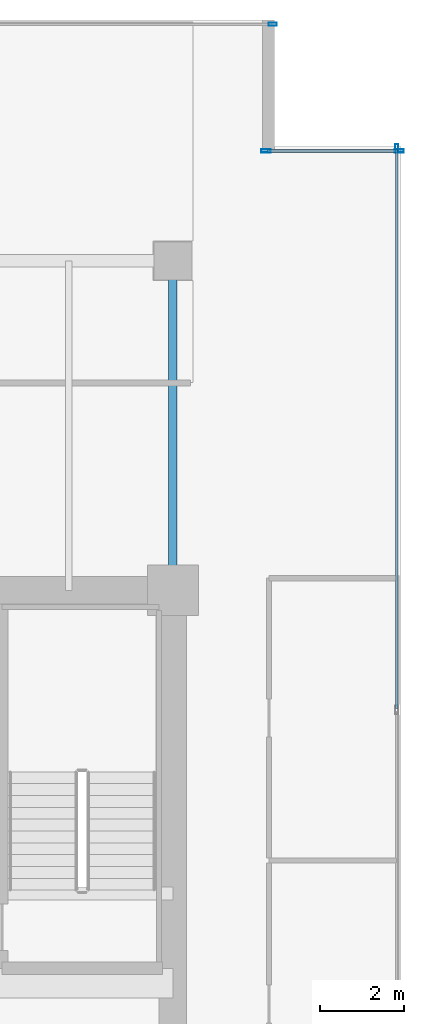
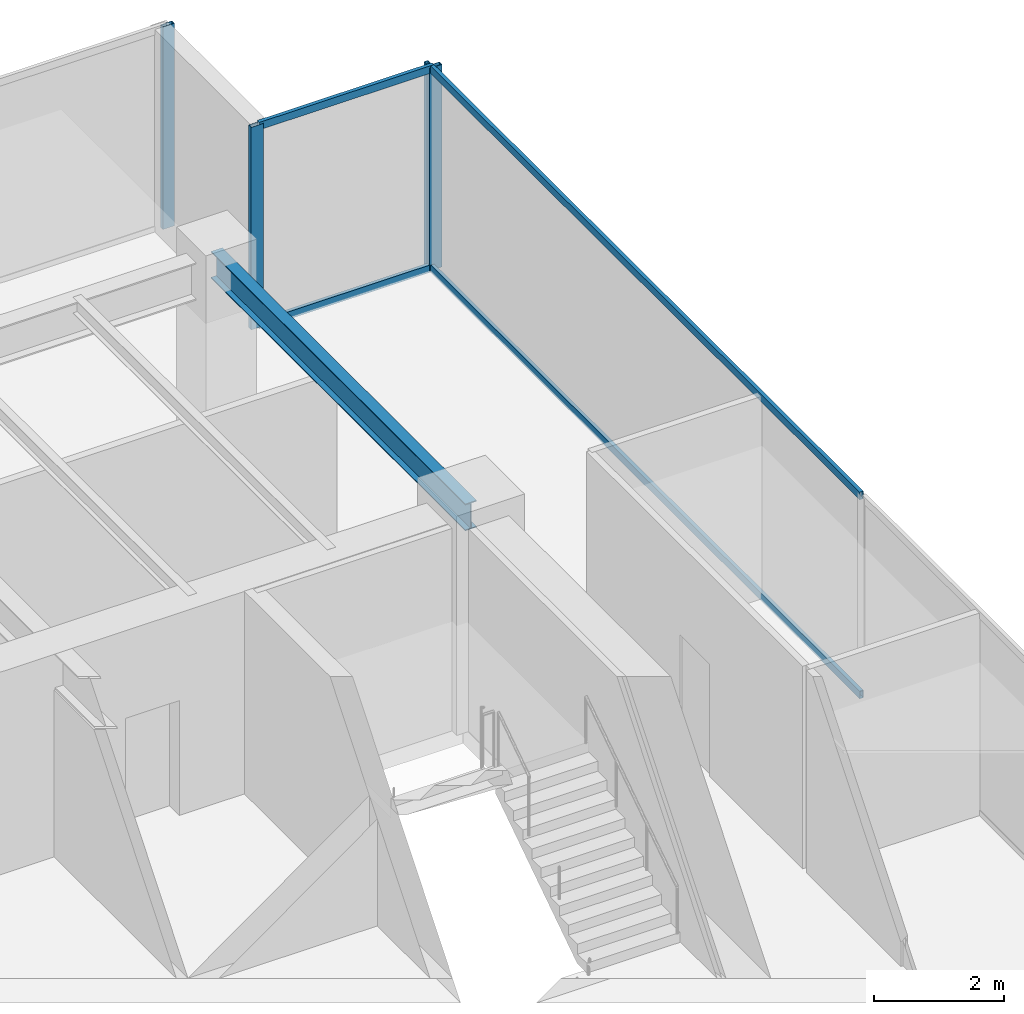
# One storey, part 23 of 33: 8 members, 1 beam, 3 elements without a shape of their own.
"""IFC4 building model written with IfcOpenShell, lengths in metres."""

from ifc_helpers import new_model, si_unit, direction, frame, origin, origin_2d, place, context, subcontext, project, spatial, hollow_rectangle, i_section, extrude, source, transform, mapped, material, layer, layer_set, material_profile, profile_set, type_object, type_shapes, element, aggregate, save


model = new_model("IFC4")

# Units and contexts
model_context = context("Model", 3, precision=1e-05, world=origin(), true_north=direction((0.0, 1.0)))
body_context = subcontext(model_context, "Body", "Model", "MODEL_VIEW")
ifc_project = project(units=[si_unit("LENGTHUNIT", "METRE"), si_unit("AREAUNIT", "SQUARE_METRE"), si_unit("VOLUMEUNIT", "CUBIC_METRE"), si_unit("PLANEANGLEUNIT", "RADIAN"), si_unit("MASSUNIT", "GRAM", prefix="KILO")], contexts=[model_context])

# Site, building, storey
site_placement = place(None, origin())
site = spatial("IfcSite", under=ifc_project, at=site_placement, CompositionType="ELEMENT")
building_placement = place(site_placement, origin())
building = spatial("IfcBuilding", under=site, at=building_placement, Name="Haelvirn Gate Laboratories", CompositionType="ELEMENT")
storey_placement = place(building_placement, frame((0.0, 0.0, 117.39990234375)))
storey = spatial("IfcBuildingStorey", under=building, at=storey_placement, Name="L28", CompositionType="ELEMENT", Elevation=117.39990234375)

# Beam
ifc_material_1 = material(Name="Steel SM355", Category="steel")
ifc_material_profile_1 = material_profile(ifc_material_1, i_section(OverallWidth=0.199951171875, OverallDepth=0.5, WebThickness=0.010009765625, FlangeThickness=0.01611328125, at=origin_2d()), Name="H-500x200x10x16")
ifc_profile_set_1 = profile_set([ifc_material_profile_1], Name="Steel SM355")
beam_type = type_object("IfcBeamType", Name="BM-SP-500", PredefinedType="SPANDREL", material=ifc_profile_set_1)
shared_shape_1 = source(origin(), body_context, "Body", "SweptSolid", [
    extrude(i_section(OverallWidth=0.199951171875, OverallDepth=0.5, WebThickness=0.010009765625, FlangeThickness=0.01611328125, at=origin_2d()), origin(), (0.0, 0.0, 1.0), 7.800048828125),
])
type_shapes(beam_type, [shared_shape_1])
beam_placement = place(storey_placement, frame((67.39990234375, 33.800048828125, 3.5400390625), z_axis=(0.0, 1.0, 0.0), x_axis=(-1.0, 0.0, 0.0)))
element("IfcBeam", 1, at=beam_placement, inside=storey, type_object=beam_type, Name="L28 Perimeter Spandrel X67.4 (33.8-41.6)", PredefinedType="SPANDREL", context=body_context, shape_type="MappedRepresentation", body=[
    mapped(shared_shape_1, transform((0.0, 0.0, 0.0), scale=1.0)),
])

# Curtain wall, members
ifc_material_2 = material(Name="Anodised bronze unitised aluminium & triple low-E glass", Category="aluminium")
ifc_layer_1 = layer(ifc_material_2, 0.181884765625, Name="CW-SYS-5")
ifc_layer_set_1 = layer_set([ifc_layer_1], Name="Anodised bronze unitised aluminium & triple low-E glass")
curtain_wall_type_1 = type_object("IfcCurtainWallType", Name="CW-SYS-5", PredefinedType="NOTDEFINED", material=ifc_layer_set_1)
curtain_wall_1_placement = place(storey_placement, origin())
curtain_wall_1 = element("IfcCurtainWall", 2, at=curtain_wall_1_placement, inside=storey, type_object=curtain_wall_type_1, Name="L28 Unitised Curtain Wall CW-L28-P0-E08-1", PredefinedType="NOTDEFINED")
ifc_material_3 = material(Name="Extruded aluminium 6063-T6 (anodised bronze)", Category="aluminium")
ifc_material_profile_2 = material_profile(ifc_material_3, hollow_rectangle(XDim=0.06494140625, YDim=0.139892578125, WallThickness=0.00390625, at=origin_2d()), Name="CWT-140x65x4")
ifc_profile_set_2 = profile_set([ifc_material_profile_2], Name="Extruded aluminium 6063-T6 (anodised bronze)")
member_type_1 = type_object("IfcMemberType", Name="CWT-T140", PredefinedType="USERDEFINED", material=ifc_profile_set_2)
shared_shape_2 = source(origin(), body_context, "Body", "SweptSolid", [
    extrude(hollow_rectangle(XDim=0.06494140625, YDim=0.139892578125, WallThickness=0.00390625, at=origin_2d()), origin(), (0.0, 0.0, 1.0), 3.080078125),
])
member_1_placement = place(storey_placement, frame((69.639892578125, 44.199951171875, 0.03271484375), z_axis=(1.0, 0.0, 0.0), x_axis=(0.0, 1.0, 0.0)))
member_1 = element("IfcMember", 3, at=member_1_placement, type_object=member_type_1, Name="CW5 transom 1.1", ObjectType="TRANSOM", PredefinedType="USERDEFINED", context=body_context, shape_type="MappedRepresentation", body=[
    mapped(shared_shape_2, transform((0.0, 0.0, 0.0), scale=1.0)),
])
member_2_placement = place(storey_placement, frame((69.639892578125, 44.199951171875, 3.757568359375), z_axis=(1.0, 0.0, 0.0), x_axis=(0.0, 1.0, 0.0)))
member_2 = element("IfcMember", 4, at=member_2_placement, type_object=member_type_1, Name="CW5 transom 1.2", ObjectType="TRANSOM", PredefinedType="USERDEFINED", context=body_context, shape_type="MappedRepresentation", body=[
    mapped(shared_shape_2, transform((0.0, 0.0, 0.0), scale=1.0)),
])

ifc_layer_2 = layer(ifc_material_2, 0.179931640625, Name="CW-SYS-3")
ifc_layer_set_2 = layer_set([ifc_layer_2], Name="Anodised bronze unitised aluminium & triple low-E glass")
curtain_wall_type_2 = type_object("IfcCurtainWallType", Name="CW-SYS-3", PredefinedType="NOTDEFINED", material=ifc_layer_set_2)
curtain_wall_2_placement = place(storey_placement, origin())
curtain_wall_2 = element("IfcCurtainWall", 5, at=curtain_wall_2_placement, inside=storey, type_object=curtain_wall_type_2, Name="L28 Unitised Curtain Wall CW-L28-P0-E07", PredefinedType="NOTDEFINED")
shared_shape_3 = source(origin(), body_context, "Body", "SweptSolid", [
    extrude(hollow_rectangle(XDim=0.06494140625, YDim=0.139892578125, WallThickness=0.00390625, at=origin_2d()), origin(), (0.0, 0.0, 1.0), 13.220947265625),
])
type_shapes(member_type_1, [shared_shape_2, shared_shape_3])
member_3_placement = place(storey_placement, frame((72.699951171875, 31.004150390625, 0.03271484375), z_axis=(0.0, 1.0, 0.0), x_axis=(-1.0, 0.0, 0.0)))
member_3 = element("IfcMember", 6, at=member_3_placement, type_object=member_type_1, Name="CW3 transom 3.1", ObjectType="TRANSOM", PredefinedType="USERDEFINED", context=body_context, shape_type="MappedRepresentation", body=[
    mapped(shared_shape_3, transform((0.0, 0.0, 0.0), scale=1.0)),
])
member_4_placement = place(storey_placement, frame((72.699951171875, 31.004150390625, 3.757568359375), z_axis=(0.0, 1.0, 0.0), x_axis=(-1.0, 0.0, 0.0)))
member_4 = element("IfcMember", 7, at=member_4_placement, type_object=member_type_1, Name="CW3 transom 3.2", ObjectType="TRANSOM", PredefinedType="USERDEFINED", context=body_context, shape_type="MappedRepresentation", body=[
    mapped(shared_shape_3, transform((0.0, 0.0, 0.0), scale=1.0)),
])
ifc_material_profile_3 = material_profile(ifc_material_3, hollow_rectangle(XDim=0.074951171875, YDim=0.199951171875, WallThickness=0.0048828125, at=origin_2d()), Name="CWM-200x75x5")
ifc_profile_set_3 = profile_set([ifc_material_profile_3], Name="Extruded aluminium 6063-T6 (anodised bronze)")
member_type_2 = type_object("IfcMemberType", Name="CWM-T200", PredefinedType="MULLION", material=ifc_profile_set_3)
shared_shape_4 = source(origin(), body_context, "Body", "SweptSolid", [
    extrude(hollow_rectangle(XDim=0.074951171875, YDim=0.199951171875, WallThickness=0.0048828125, at=origin_2d()), origin(), (0.0, 0.0, 1.0), 3.7900390625),
])
type_shapes(member_type_2, [shared_shape_4])
member_5_placement = place(storey_placement, frame((72.699951171875, 44.262451171875, 0.0), z_axis=(0.0, 0.0, 1.0), x_axis=(-1.0, 0.0, 0.0)))
member_5 = element("IfcMember", 8, at=member_5_placement, type_object=member_type_2, Name="CW3 mullion 4", PredefinedType="MULLION", context=body_context, shape_type="MappedRepresentation", body=[
    mapped(shared_shape_4, transform((0.0, 0.0, 0.0), scale=1.0)),
])
aggregate(curtain_wall_2, [member_5, member_3, member_4])

# Curtain wall, member
curtain_wall_3_placement = place(storey_placement, origin())
curtain_wall_3 = element("IfcCurtainWall", 9, at=curtain_wall_3_placement, inside=storey, type_object=curtain_wall_type_2, Name="L28 Unitised Curtain Wall CW-L28-P0-E10-1", PredefinedType="NOTDEFINED")
member_6_placement = place(storey_placement, frame((69.762451171875, 47.199951171875, 0.0), z_axis=(0.0, 0.0, 1.0), x_axis=(0.0, 1.0, 0.0)))
member_6 = element("IfcMember", 10, at=member_6_placement, type_object=member_type_2, Name="CW3 mullion 3", PredefinedType="MULLION", context=body_context, shape_type="MappedRepresentation", body=[
    mapped(shared_shape_4, transform((0.0, 0.0, 0.0), scale=1.0)),
])
aggregate(curtain_wall_3, [member_6])

# Member
ifc_material_profile_4 = material_profile(ifc_material_3, hollow_rectangle(XDim=0.080078125, YDim=0.219970703125, WallThickness=0.006103515625, at=origin_2d()), Name="CWM-220x80x6")
ifc_profile_set_4 = profile_set([ifc_material_profile_4], Name="Extruded aluminium 6063-T6 (anodised bronze)")
member_type_3 = type_object("IfcMemberType", Name="CWM-T220", PredefinedType="MULLION", material=ifc_profile_set_4)
shared_shape_5 = source(origin(), body_context, "Body", "SweptSolid", [
    extrude(hollow_rectangle(XDim=0.080078125, YDim=0.219970703125, WallThickness=0.006103515625, at=origin_2d()), origin(), (0.0, 0.0, 1.0), 3.7900390625),
])
type_shapes(member_type_3, [shared_shape_5])
member_7_placement = place(storey_placement, frame((69.60009765625, 44.199951171875, 0.0), z_axis=(0.0, 0.0, 1.0), x_axis=(0.0, 1.0, 0.0)))
member_7 = element("IfcMember", 11, at=member_7_placement, type_object=member_type_3, Name="CW5 mullion 1", PredefinedType="MULLION", context=body_context, shape_type="MappedRepresentation", body=[
    mapped(shared_shape_5, transform((0.0, 0.0, 0.0), scale=1.0)),
])

member_8_placement = place(storey_placement, frame((72.760009765625, 44.199951171875, 0.0), z_axis=(0.0, 0.0, 1.0), x_axis=(0.0, 1.0, 0.0)))
member_8 = element("IfcMember", 12, at=member_8_placement, type_object=member_type_3, Name="CW5 mullion 2", PredefinedType="MULLION", context=body_context, shape_type="MappedRepresentation", body=[
    mapped(shared_shape_5, transform((0.0, 0.0, 0.0), scale=1.0)),
])

aggregate(curtain_wall_1, [member_7, member_8, member_1, member_2])

save(model, "model.ifc")
